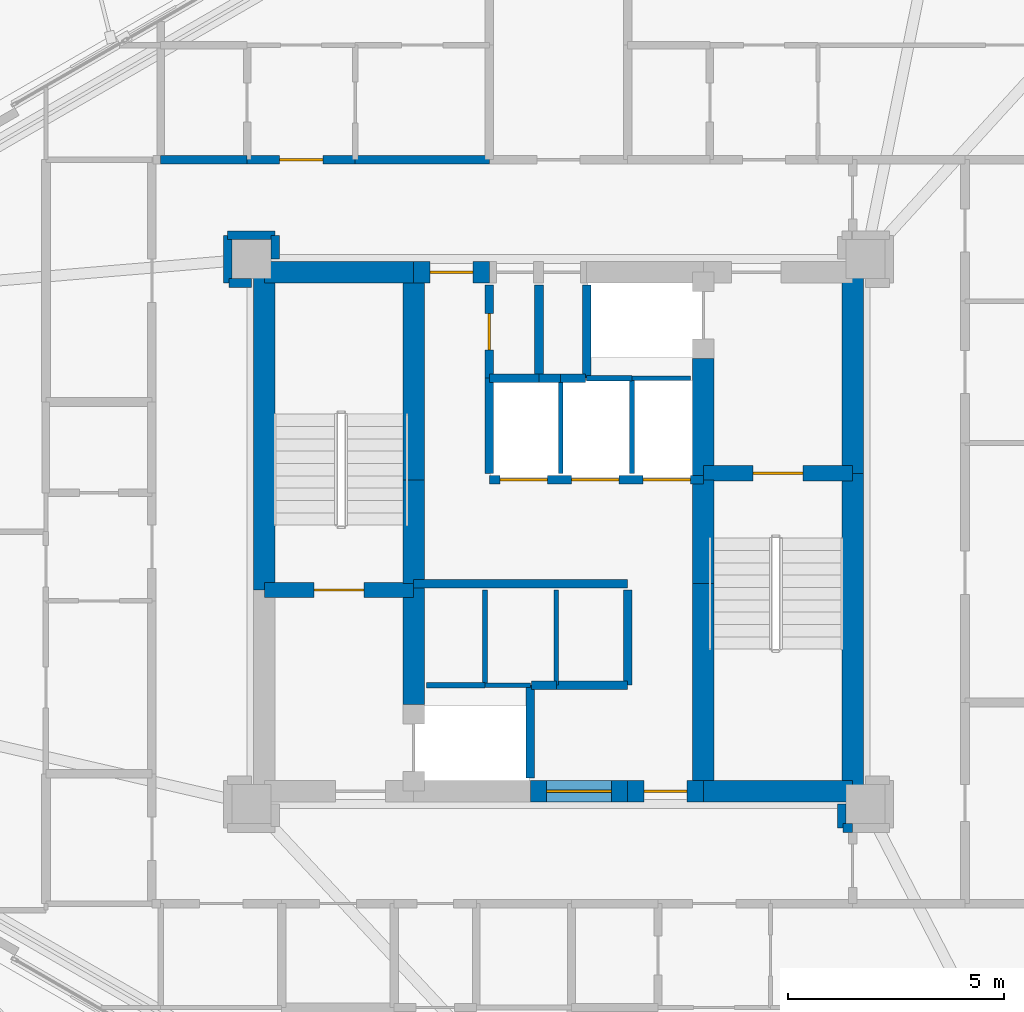
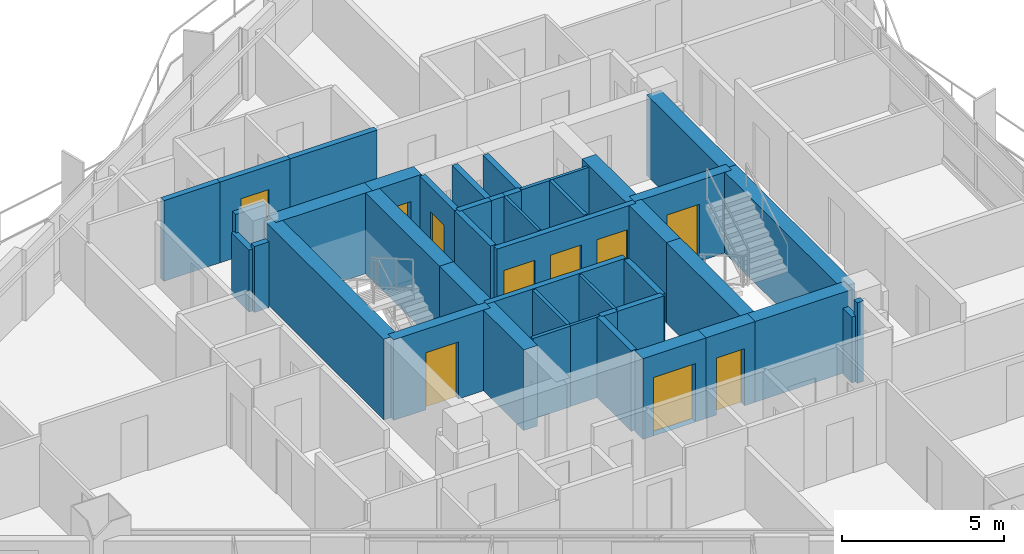
# One storey, part 14 of 19: 46 walls, 10 doors, 10 openings.
"""IFC4 building model written with IfcOpenShell, lengths in metres."""

from ifc_helpers import new_model, si_unit, direction, frame, frame_2d, origin, place, context, subcontext, project, spatial, rectangle, extrude, material, layer, layer_set, type_object, element, fill, save


model = new_model("IFC4")

# Units and contexts
model_context = context("Model", 3, precision=1e-05, world=origin(), true_north=direction((0.0, 1.0)))
body_context = subcontext(model_context, "Body", "Model", "MODEL_VIEW")
ifc_project = project(units=[si_unit("LENGTHUNIT", "METRE"), si_unit("AREAUNIT", "SQUARE_METRE"), si_unit("VOLUMEUNIT", "CUBIC_METRE"), si_unit("PLANEANGLEUNIT", "RADIAN"), si_unit("MASSUNIT", "GRAM", prefix="KILO")], contexts=[model_context])

# Site, building, storey
site_placement = place(None, origin())
site = spatial("IfcSite", under=ifc_project, at=site_placement, CompositionType="ELEMENT")
building_placement = place(site_placement, origin())
building = spatial("IfcBuilding", under=site, at=building_placement, Name="Mersakhor Tower and Convention Hall", CompositionType="ELEMENT")
storey_placement = place(building_placement, frame((0.0, 0.0, 45.60009765625)))
storey = spatial("IfcBuildingStorey", under=building, at=storey_placement, Name="L12", CompositionType="ELEMENT", Elevation=45.60009765625)

# Walls
ifc_material_1 = material(Name="Lightweight gypsum partition", Category="other")
ifc_layer_1 = layer(ifc_material_1, 0.10009765625)
ifc_layer_set_1 = layer_set([ifc_layer_1], Name="Lightweight gypsum partition")
wall_type_1 = type_object("IfcWallType", Name="WL-PRT-100", PredefinedType="PARTITIONING", material=ifc_layer_set_1)
wall_1_placement = place(storey_placement, frame((27.300048828125, 23.199951171875, 0.0), z_axis=(0.0, 0.0, 1.0), x_axis=(1.0, 0.0, 0.0)))
element("IfcWall", 1, at=wall_1_placement, inside=storey, type_object=wall_type_1, Name="L12 Interior Partition Wall P-002", PredefinedType="PARTITIONING", context=body_context, shape_type="SweptSolid", body=[
    extrude(rectangle(XDim=1.050048828125, YDim=0.10009765625, at=frame_2d((0.52490234375, 0.0))), origin(), (0.0, 0.0, 1.0), 3.039794921875),
])
wall_2_placement = place(storey_placement, frame((32.050048828125, 30.300048828125, 0.0), z_axis=(0.0, 0.0, 1.0), x_axis=(-1.0, 0.0, 0.0)))
element("IfcWall", 2, at=wall_2_placement, inside=storey, type_object=wall_type_1, Name="L12 Interior Partition Wall P-004", PredefinedType="PARTITIONING", context=body_context, shape_type="SweptSolid", body=[
    extrude(rectangle(XDim=1.35009765625, YDim=0.10009765625, at=frame_2d((0.675048828125, 0.0))), origin(), (0.0, 0.0, 1.0), 3.039794921875),
])
for number, where, z_axis, x_axis, name in (
    (3, (28.949951171875, 25.39990234375, 0.0), (0.0, 0.0, 1.0), (0.0, -1.0, 0.0), "L12 Interior Partition Wall P-008"),
    (4, (29.050048828125, 30.300048828125, 0.0), (0.0, 0.0, 1.0), (0.0, -1.0, 0.0), "L12 Interior Partition Wall P-014"),
):
    element("IfcWall", number, at=place(storey_placement, frame(where, z_axis=z_axis, x_axis=x_axis)), inside=storey, type_object=wall_type_1, Name=name, PredefinedType="PARTITIONING", context=body_context, shape_type="SweptSolid", body=[
        extrude(rectangle(XDim=2.199951171875, YDim=0.10009765625, at=frame_2d((1.10009765625, 0.0))), origin(), (0.0, 0.0, 1.0), 3.039794921875),
    ])
ifc_material_2 = material(Name="Gypsum board acoustic partition", Category="other")
ifc_layer_2 = layer(ifc_material_2, 0.125)
ifc_layer_set_2 = layer_set([ifc_layer_2], Name="Gypsum board acoustic partition")
wall_type_2 = type_object("IfcWallType", Name="WL-PRT-125", PredefinedType="PARTITIONING", material=ifc_layer_set_2)
wall_3_placement = place(storey_placement, frame((25.949951171875, 23.199951171875, 0.0), z_axis=(0.0, 0.0, 1.0), x_axis=(1.0, 0.0, 0.0)))
element("IfcWall", 5, at=wall_3_placement, inside=storey, type_object=wall_type_2, Name="L12 Interior Partition Wall P-001", PredefinedType="PARTITIONING", context=body_context, shape_type="SweptSolid", body=[
    extrude(rectangle(XDim=1.35009765625, YDim=0.125, at=frame_2d((0.675048828125, 0.0))), origin(), (0.0, 0.0, 1.0), 3.039794921875),
])
wall_4_placement = place(storey_placement, frame((30.699951171875, 30.300048828125, 0.0), z_axis=(0.0, 0.0, 1.0), x_axis=(-1.0, 0.0, 0.0)))
element("IfcWall", 6, at=wall_4_placement, inside=storey, type_object=wall_type_2, Name="L12 Interior Partition Wall P-005", PredefinedType="PARTITIONING", context=body_context, shape_type="SweptSolid", body=[
    extrude(rectangle(XDim=1.050048828125, YDim=0.125, at=frame_2d((0.52490234375, 0.0))), origin(), (0.0, 0.0, 1.0), 3.039794921875),
])
for number, where, z_axis, x_axis, name in (
    (7, (27.300048828125, 25.39990234375, 0.0), (0.0, 0.0, 1.0), (0.0, -1.0, 0.0), "L12 Interior Partition Wall P-007"),
    (8, (30.699951171875, 30.300048828125, 0.0), (0.0, 0.0, 1.0), (0.0, -1.0, 0.0), "L12 Interior Partition Wall P-017"),
):
    element("IfcWall", number, at=place(storey_placement, frame(where, z_axis=z_axis, x_axis=x_axis)), inside=storey, type_object=wall_type_2, Name=name, PredefinedType="PARTITIONING", context=body_context, shape_type="SweptSolid", body=[
        extrude(rectangle(XDim=2.199951171875, YDim=0.125, at=frame_2d((1.10009765625, 0.0))), origin(), (0.0, 0.0, 1.0), 3.039794921875),
    ])
ifc_material_3 = material(Name="Acoustic concrete blockwork and gypsum board", Category="masonry")
ifc_layer_3 = layer(ifc_material_3, 0.199951171875)
ifc_layer_set_3 = layer_set([ifc_layer_3], Name="Acoustic concrete blockwork and gypsum board")
wall_type_3 = type_object("IfcWallType", Name="WL-PRT-200", PredefinedType="PARTITIONING", material=ifc_layer_set_3)
wall_5_placement = place(storey_placement, frame((25.64990234375, 25.550048828125, 0.0), z_axis=(0.0, 0.0, 1.0), x_axis=(1.0, 0.0, 0.0)))
element("IfcWall", 9, at=wall_5_placement, inside=storey, type_object=wall_type_3, Name="L12 High-Rise Lift Bank Front Wall", PredefinedType="PARTITIONING", context=body_context, shape_type="SweptSolid", body=[
    extrude(rectangle(XDim=4.9501953125, YDim=0.199951171875, at=frame_2d((2.47509765625, 0.0))), origin(), (0.0, 0.0, 1.0), 3.039794921875),
])

# Wall, openings, doors
wall_6_placement = place(storey_placement, frame((27.39990234375, 27.949951171875, 0.0), z_axis=(0.0, 0.0, 1.0), x_axis=(1.0, 0.0, 0.0)))
wall_6 = element("IfcWall", 10, at=wall_6_placement, inside=storey, type_object=wall_type_3, Name="L12 Low-Rise Lift Bank Front Wall", PredefinedType="PARTITIONING", context=body_context, shape_type="SweptSolid", body=[
    extrude(rectangle(XDim=4.9501953125, YDim=0.199951171875, at=frame_2d((2.47509765625, 0.0))), origin(), (0.0, 0.0, 1.0), 3.039794921875),
])
opening_1_placement = place(wall_6_placement, frame((0.25, 0.0, 0.0)))
opening_1 = element("IfcOpeningElement", 11, at=opening_1_placement, cuts=wall_6, Name="Opening LD-P1", PredefinedType="OPENING", context=body_context, shape_type="SweptSolid", body=[
    extrude(rectangle(XDim=1.10009765625, YDim=2.14990234375, at=frame_2d((0.550048828125, 1.074951171875))), frame((0.0, 0.10986328125, 0.0), z_axis=(0.0, -1.0, 0.0), x_axis=(1.0, 0.0, 0.0)), (0.0, 0.0, 1.0), 0.219970703125),
])
opening_2_placement = place(wall_6_placement, frame((1.89990234375, 0.0, 0.0)))
opening_2 = element("IfcOpeningElement", 12, at=opening_2_placement, cuts=wall_6, Name="Opening LD-P2", PredefinedType="OPENING", context=body_context, shape_type="SweptSolid", body=[
    extrude(rectangle(XDim=1.10009765625, YDim=2.14990234375, at=frame_2d((0.550048828125, 1.074951171875))), frame((0.0, 0.10986328125, 0.0), z_axis=(0.0, -1.0, 0.0), x_axis=(1.0, 0.0, 0.0)), (0.0, 0.0, 1.0), 0.219970703125),
])
opening_3_placement = place(wall_6_placement, frame((3.550048828125, 0.0, 0.0)))
opening_3 = element("IfcOpeningElement", 13, at=opening_3_placement, cuts=wall_6, Name="Opening LD-P3", PredefinedType="OPENING", context=body_context, shape_type="SweptSolid", body=[
    extrude(rectangle(XDim=1.10009765625, YDim=2.14990234375, at=frame_2d((0.550048828125, 1.074951171875))), frame((0.0, 0.10986328125, 0.0), z_axis=(0.0, -1.0, 0.0), x_axis=(1.0, 0.0, 0.0)), (0.0, 0.0, 1.0), 0.219970703125),
])
ifc_material_4 = material(Name="Fire-rated brushed stainless steel sliding landing door", Category="steel")
door_type_1 = type_object("IfcDoorType", Name="DR-LIFT-SLD-110x215", OperationType="NOTDEFINED", PredefinedType="DOOR", material=ifc_material_4)
door_1_placement = place(opening_1_placement, origin())
door_1 = element("IfcDoor", 14, at=door_1_placement, inside=storey, type_object=door_type_1, Name="L12 Lift Landing Door LD-P1", OperationType="SLIDING_TO_LEFT", OverallHeight=2.14990234375, OverallWidth=1.10009765625, PredefinedType="DOOR", context=body_context, shape_type="SweptSolid", body=[
    extrude(rectangle(XDim=1.10009765625, YDim=2.14990234375, at=frame_2d((0.550048828125, 1.074951171875))), frame((0.0, 0.02490234375, 0.0), z_axis=(0.0, -1.0, 0.0), x_axis=(1.0, 0.0, 0.0)), (0.0, 0.0, 1.0), 0.050048828125),
])
fill(opening_1, door_1)
door_2_placement = place(opening_2_placement, origin())
door_2 = element("IfcDoor", 15, at=door_2_placement, inside=storey, type_object=door_type_1, Name="L12 Lift Landing Door LD-P2", OperationType="SLIDING_TO_LEFT", OverallHeight=2.14990234375, OverallWidth=1.10009765625, PredefinedType="DOOR", context=body_context, shape_type="SweptSolid", body=[
    extrude(rectangle(XDim=1.10009765625, YDim=2.14990234375, at=frame_2d((0.550048828125, 1.074951171875))), frame((0.0, 0.02490234375, 0.0), z_axis=(0.0, -1.0, 0.0), x_axis=(1.0, 0.0, 0.0)), (0.0, 0.0, 1.0), 0.050048828125),
])
fill(opening_2, door_2)
door_3_placement = place(opening_3_placement, origin())
door_3 = element("IfcDoor", 16, at=door_3_placement, inside=storey, type_object=door_type_1, Name="L12 Lift Landing Door LD-P3", OperationType="SLIDING_TO_LEFT", OverallHeight=2.14990234375, OverallWidth=1.10009765625, PredefinedType="DOOR", context=body_context, shape_type="SweptSolid", body=[
    extrude(rectangle(XDim=1.10009765625, YDim=2.14990234375, at=frame_2d((0.550048828125, 1.074951171875))), frame((0.0, 0.02490234375, 0.0), z_axis=(0.0, -1.0, 0.0), x_axis=(1.0, 0.0, 0.0)), (0.0, 0.0, 1.0), 0.050048828125),
])
fill(opening_3, door_3)

# Walls
for number, where, z_axis, x_axis, name in (
    (17, (28.35009765625, 23.199951171875, 0.0), (0.0, 0.0, 1.0), (0.0, -1.0, 0.0), "L12 Interior Partition Wall P-003"),
    (18, (29.64990234375, 30.300048828125, 0.0), (0.0, 0.0, 1.0), (0.0, 1.0, 0.0), "L12 Interior Partition Wall P-006"),
):
    element("IfcWall", number, at=place(storey_placement, frame(where, z_axis=z_axis, x_axis=x_axis)), inside=storey, type_object=wall_type_3, Name=name, PredefinedType="PARTITIONING", context=body_context, shape_type="SweptSolid", body=[
        extrude(rectangle(XDim=2.14990234375, YDim=0.199951171875, at=frame_2d((1.074951171875, 0.0))), origin(), (0.0, 0.0, 1.0), 3.039794921875),
    ])
wall_7_placement = place(storey_placement, frame((28.949951171875, 23.199951171875, 0.0), z_axis=(0.0, 0.0, 1.0), x_axis=(-1.0, 0.0, 0.0)))
element("IfcWall", 19, at=wall_7_placement, inside=storey, type_object=wall_type_3, Name="L12 Interior Partition Wall P-009", PredefinedType="PARTITIONING", context=body_context, shape_type="SweptSolid", body=[
    extrude(rectangle(XDim=0.570068359375, YDim=0.199951171875, at=frame_2d((0.28515625, 0.0))), origin(), (0.0, 0.0, 1.0), 3.039794921875),
])
wall_8_placement = place(storey_placement, frame((30.60009765625, 25.39990234375, 0.0), z_axis=(0.0, 0.0, 1.0), x_axis=(0.0, -1.0, 0.0)))
element("IfcWall", 20, at=wall_8_placement, inside=storey, type_object=wall_type_3, Name="L12 Interior Partition Wall P-010", PredefinedType="PARTITIONING", context=body_context, shape_type="SweptSolid", body=[
    extrude(rectangle(XDim=2.199951171875, YDim=0.199951171875, at=frame_2d((1.10009765625, 0.0))), origin(), (0.0, 0.0, 1.0), 3.039794921875),
])
wall_9_placement = place(storey_placement, frame((30.60009765625, 23.199951171875, 0.0), z_axis=(0.0, 0.0, 1.0), x_axis=(-1.0, 0.0, 0.0)))
element("IfcWall", 21, at=wall_9_placement, inside=storey, type_object=wall_type_3, Name="L12 Interior Partition Wall P-011", PredefinedType="PARTITIONING", context=body_context, shape_type="SweptSolid", body=[
    extrude(rectangle(XDim=1.650146484375, YDim=0.199951171875, at=frame_2d((0.8251953125, 0.0))), origin(), (0.0, 0.0, 1.0), 3.039794921875),
])
wall_10_placement = place(storey_placement, frame((27.39990234375, 30.300048828125, 0.0), z_axis=(0.0, 0.0, 1.0), x_axis=(1.0, 0.0, 0.0)))
element("IfcWall", 22, at=wall_10_placement, inside=storey, type_object=wall_type_3, Name="L12 Interior Partition Wall P-012", PredefinedType="PARTITIONING", context=body_context, shape_type="SweptSolid", body=[
    extrude(rectangle(XDim=1.150146484375, YDim=0.199951171875, at=frame_2d((0.5751953125, 0.0))), origin(), (0.0, 0.0, 1.0), 3.039794921875),
])
wall_11_placement = place(storey_placement, frame((28.550048828125, 30.300048828125, 0.0), z_axis=(0.0, 0.0, 1.0), x_axis=(1.0, 0.0, 0.0)))
element("IfcWall", 23, at=wall_11_placement, inside=storey, type_object=wall_type_3, Name="L12 Interior Partition Wall P-013", PredefinedType="PARTITIONING", context=body_context, shape_type="SweptSolid", body=[
    extrude(rectangle(XDim=0.5, YDim=0.199951171875, at=frame_2d((0.25, 0.0))), origin(), (0.0, 0.0, 1.0), 3.039794921875),
])
wall_12_placement = place(storey_placement, frame((27.39990234375, 28.10009765625, 0.0), z_axis=(0.0, 0.0, 1.0), x_axis=(0.0, 1.0, 0.0)))
element("IfcWall", 24, at=wall_12_placement, inside=storey, type_object=wall_type_3, Name="L12 Interior Partition Wall P-015", PredefinedType="PARTITIONING", context=body_context, shape_type="SweptSolid", body=[
    extrude(rectangle(XDim=2.199951171875, YDim=0.199951171875, at=frame_2d((1.10009765625, 0.0))), origin(), (0.0, 0.0, 1.0), 3.039794921875),
])
wall_13_placement = place(storey_placement, frame((29.050048828125, 30.300048828125, 0.0), z_axis=(0.0, 0.0, 1.0), x_axis=(1.0, 0.0, 0.0)))
element("IfcWall", 25, at=wall_13_placement, inside=storey, type_object=wall_type_3, Name="L12 Interior Partition Wall P-016", PredefinedType="PARTITIONING", context=body_context, shape_type="SweptSolid", body=[
    extrude(rectangle(XDim=0.570068359375, YDim=0.199951171875, at=frame_2d((0.28515625, 0.0))), origin(), (0.0, 0.0, 1.0), 3.039794921875),
])

# Wall, opening, door
wall_14_placement = place(storey_placement, frame((27.39990234375, 32.449951171875, 0.0), z_axis=(0.0, 0.0, 1.0), x_axis=(0.0, -1.0, 0.0)))
wall_14 = element("IfcWall", 26, at=wall_14_placement, inside=storey, type_object=wall_type_3, Name="L12 Interior Partition Wall P-018", PredefinedType="PARTITIONING", context=body_context, shape_type="SweptSolid", body=[
    extrude(rectangle(XDim=2.14990234375, YDim=0.199951171875, at=frame_2d((1.074951171875, 0.0))), origin(), (0.0, 0.0, 1.0), 3.039794921875),
])
opening_4_placement = place(wall_14_placement, frame((0.64990234375, 0.0, 0.0)))
opening_4 = element("IfcOpeningElement", 27, at=opening_4_placement, cuts=wall_14, Name="Opening SVD-01", PredefinedType="OPENING", context=body_context, shape_type="SweptSolid", body=[
    extrude(rectangle(XDim=0.85009765625, YDim=2.10009765625, at=frame_2d((0.425048828125, 1.050048828125))), frame((0.0, 0.10986328125, 0.0), z_axis=(0.0, -1.0, 0.0), x_axis=(1.0, 0.0, 0.0)), (0.0, 0.0, 1.0), 0.219970703125),
])
ifc_material_5 = material(Name="Fire-rated hardwood leaf and painted steel frame", Category="steel")
door_type_2 = type_object("IfcDoorType", Name="DR-INT-SVC-085x210", OperationType="NOTDEFINED", PredefinedType="DOOR", material=ifc_material_5)
door_4_placement = place(opening_4_placement, origin())
door_4 = element("IfcDoor", 28, at=door_4_placement, inside=storey, type_object=door_type_2, Name="L12 Central Passenger Lift Lobby to Telecoms Distribution Room Door", OperationType="SINGLE_SWING_LEFT", OverallHeight=2.10009765625, OverallWidth=0.85009765625, PredefinedType="DOOR", context=body_context, shape_type="SweptSolid", body=[
    extrude(rectangle(XDim=0.85009765625, YDim=2.10009765625, at=frame_2d((0.425048828125, 1.050048828125))), frame((0.0, 0.02490234375, 0.0), z_axis=(0.0, -1.0, 0.0), x_axis=(1.0, 0.0, 0.0)), (0.0, 0.0, 1.0), 0.050048828125),
])
fill(opening_4, door_4)

# Walls
wall_15_placement = place(storey_placement, frame((35.550048828125, 20.449951171875, 0.0), z_axis=(0.0, 0.0, 1.0), x_axis=(0.0, -1.0, 0.0)))
element("IfcWall", 29, at=wall_15_placement, inside=storey, type_object=wall_type_3, Name="L12 Interior Partition Wall P-021", PredefinedType="PARTITIONING", context=body_context, shape_type="SweptSolid", body=[
    extrude(rectangle(XDim=0.550048828125, YDim=0.199951171875, at=frame_2d((0.27490234375, 0.0))), origin(), (0.0, 0.0, 1.0), 2.48828125),
])
wall_16_placement = place(storey_placement, frame((35.580078125, 19.89990234375, 0.0), z_axis=(0.0, 0.0, 1.0), x_axis=(1.0, 0.0, 0.0)))
element("IfcWall", 30, at=wall_16_placement, inside=storey, type_object=wall_type_3, Name="L12 Interior Partition Wall P-022", PredefinedType="PARTITIONING", context=body_context, shape_type="SweptSolid", body=[
    extrude(rectangle(XDim=0.219970703125, YDim=0.199951171875, at=frame_2d((0.10986328125, 0.0))), origin(), (0.0, 0.0, 1.0), 3.039794921875),
])
wall_17_placement = place(storey_placement, frame((19.800048828125, 35.35009765625, 0.0), z_axis=(0.0, 0.0, 1.0), x_axis=(1.0, 0.0, 0.0)))
element("IfcWall", 31, at=wall_17_placement, inside=storey, type_object=wall_type_3, Name="L12 Interior Partition Wall P-038", PredefinedType="PARTITIONING", context=body_context, shape_type="SweptSolid", body=[
    extrude(rectangle(XDim=2.0, YDim=0.199951171875, at=frame_2d((1.0, 0.0))), origin(), (0.0, 0.0, 1.0), 3.039794921875),
])

# Wall, opening, door
wall_18_placement = place(storey_placement, frame((21.800048828125, 35.35009765625, 0.0), z_axis=(0.0, 0.0, 1.0), x_axis=(1.0, 0.0, 0.0)))
wall_18 = element("IfcWall", 32, at=wall_18_placement, inside=storey, type_object=wall_type_3, Name="L12 Interior Partition Wall P-039", PredefinedType="PARTITIONING", context=body_context, shape_type="SweptSolid", body=[
    extrude(rectangle(XDim=2.5, YDim=0.199951171875, at=frame_2d((1.25, 0.0))), origin(), (0.0, 0.0, 1.0), 3.039794921875),
])
opening_5_placement = place(wall_18_placement, frame((0.75, 0.0, 0.0)))
opening_5 = element("IfcOpeningElement", 33, at=opening_5_placement, cuts=wall_18, Name="Opening FD-01", PredefinedType="OPENING", context=body_context, shape_type="SweptSolid", body=[
    extrude(rectangle(XDim=1.0, YDim=2.14990234375, at=frame_2d((0.5, 1.074951171875))), frame((0.0, 0.10986328125, 0.0), z_axis=(0.0, -1.0, 0.0), x_axis=(1.0, 0.0, 0.0)), (0.0, 0.0, 1.0), 0.219970703125),
])
ifc_material_6 = material(Name="Fire-rated hardwood leaf and painted steel frame", Category="steel")
door_type_3 = type_object("IfcDoorType", Name="DR-INT-FLT-100x215", OperationType="NOTDEFINED", PredefinedType="DOOR", material=ifc_material_6)
door_5_placement = place(opening_5_placement, origin())
door_5 = element("IfcDoor", 34, at=door_5_placement, inside=storey, type_object=door_type_3, Name="L12 Apartment Entrance Door (Residential Ring Corridor to L12 Flat N1 Apartment Hall)", OperationType="SINGLE_SWING_RIGHT", OverallHeight=2.14990234375, OverallWidth=1.0, PredefinedType="DOOR", context=body_context, shape_type="SweptSolid", body=[
    extrude(rectangle(XDim=1.0, YDim=2.14990234375, at=frame_2d((0.5, 1.074951171875))), frame((0.0, 0.02490234375, 0.0), z_axis=(0.0, -1.0, 0.0), x_axis=(1.0, 0.0, 0.0)), (0.0, 0.0, 1.0), 0.050048828125),
])
fill(opening_5, door_5)

# Walls
wall_19_placement = place(storey_placement, frame((24.300048828125, 35.35009765625, 0.0), z_axis=(0.0, 0.0, 1.0), x_axis=(1.0, 0.0, 0.0)))
element("IfcWall", 35, at=wall_19_placement, inside=storey, type_object=wall_type_3, Name="L12 Interior Partition Wall P-040", PredefinedType="PARTITIONING", context=body_context, shape_type="SweptSolid", body=[
    extrude(rectangle(XDim=3.099853515625, YDim=0.199951171875, at=frame_2d((1.5498046875, 0.0))), origin(), (0.0, 0.0, 1.0), 3.039794921875),
])
wall_20_placement = place(storey_placement, frame((22.449951171875, 33.050048828125, 0.0), z_axis=(0.0, 0.0, 1.0), x_axis=(0.0, 1.0, 0.0)))
element("IfcWall", 36, at=wall_20_placement, inside=storey, type_object=wall_type_3, Name="L12 Interior Partition Wall P-048", PredefinedType="PARTITIONING", context=body_context, shape_type="SweptSolid", body=[
    extrude(rectangle(XDim=0.550048828125, YDim=0.199951171875, at=frame_2d((0.27490234375, 0.0))), origin(), (0.0, 0.0, 1.0), 2.48828125),
])
wall_21_placement = place(storey_placement, frame((22.449951171875, 33.60009765625, 0.0), z_axis=(0.0, 0.0, 1.0), x_axis=(-1.0, 0.0, 0.0)))
element("IfcWall", 37, at=wall_21_placement, inside=storey, type_object=wall_type_3, Name="L12 Interior Partition Wall P-049", PredefinedType="PARTITIONING", context=body_context, shape_type="SweptSolid", body=[
    extrude(rectangle(XDim=1.099853515625, YDim=0.199951171875, at=frame_2d((0.5498046875, 0.0))), origin(), (0.0, 0.0, 1.0), 3.039794921875),
])
wall_22_placement = place(storey_placement, frame((21.35009765625, 33.60009765625, 0.0), z_axis=(0.0, 0.0, 1.0), x_axis=(0.0, -1.0, 0.0)))
element("IfcWall", 38, at=wall_22_placement, inside=storey, type_object=wall_type_3, Name="L12 Interior Partition Wall P-050", PredefinedType="PARTITIONING", context=body_context, shape_type="SweptSolid", body=[
    extrude(rectangle(XDim=1.10009765625, YDim=0.199951171875, at=frame_2d((0.550048828125, 0.0))), origin(), (0.0, 0.0, 1.0), 2.33740234375),
])
wall_23_placement = place(storey_placement, frame((21.3798828125, 32.5, 0.0), z_axis=(0.0, 0.0, 1.0), x_axis=(1.0, 0.0, 0.0)))
element("IfcWall", 39, at=wall_23_placement, inside=storey, type_object=wall_type_3, Name="L12 Interior Partition Wall P-051", PredefinedType="PARTITIONING", context=body_context, shape_type="SweptSolid", body=[
    extrude(rectangle(XDim=0.52001953125, YDim=0.199951171875, at=frame_2d((0.260009765625, 0.0))), origin(), (0.0, 0.0, 1.0), 2.48828125),
])
wall_24_placement = place(storey_placement, frame((28.550048828125, 32.449951171875, 0.0), z_axis=(0.0, 0.0, 1.0), x_axis=(0.0, -1.0, 0.0)))
element("IfcWall", 40, at=wall_24_placement, inside=storey, type_object=wall_type_3, Name="L12 Interior Partition Wall P-099", PredefinedType="PARTITIONING", context=body_context, shape_type="SweptSolid", body=[
    extrude(rectangle(XDim=2.14990234375, YDim=0.199951171875, at=frame_2d((1.074951171875, 0.0))), origin(), (0.0, 0.0, 1.0), 3.039794921875),
])

# Wall, opening, door
ifc_material_7 = material(Name="Concrete C50/60", Category="concrete")
ifc_layer_4 = layer(ifc_material_7, 0.35009765625)
ifc_layer_set_4 = layer_set([ifc_layer_4], Name="Concrete C50/60")
wall_type_4 = type_object("IfcWallType", Name="WL-SHR-350", PredefinedType="SHEAR", material=ifc_layer_set_4)
wall_25_placement = place(storey_placement, frame((22.199951171875, 25.39990234375, 0.0), z_axis=(0.0, 0.0, 1.0), x_axis=(1.0, 0.0, 0.0)))
wall_25 = element("IfcWall", 41, at=wall_25_placement, inside=storey, type_object=wall_type_4, Name="L12 Core Wall CS-ST1-S", PredefinedType="SHEAR", context=body_context, shape_type="SweptSolid", body=[
    extrude(rectangle(XDim=3.449951171875, YDim=0.35009765625, at=frame_2d((1.72509765625, 0.0))), origin(), (0.0, 0.0, 1.0), 3.039794921875),
])
opening_6_placement = place(wall_25_placement, frame((1.14990234375, 0.0, 0.0)))
opening_6 = element("IfcOpeningElement", 42, at=opening_6_placement, cuts=wall_25, Name="Opening SD-01", PredefinedType="OPENING", context=body_context, shape_type="SweptSolid", body=[
    extrude(rectangle(XDim=1.14990234375, YDim=2.14990234375, at=frame_2d((0.574951171875, 1.074951171875))), frame((0.0, 0.18505859375, 0.0), z_axis=(0.0, -1.0, 0.0), x_axis=(1.0, 0.0, 0.0)), (0.0, 0.0, 1.0), 0.3701171875),
])
ifc_material_8 = material(Name="Fire-rated hardwood leaf and painted steel frame", Category="steel")
door_type_4 = type_object("IfcDoorType", Name="DR-INT-STAIR-115x215", OperationType="NOTDEFINED", PredefinedType="DOOR", material=ifc_material_8)
door_6_placement = place(opening_6_placement, origin())
door_6 = element("IfcDoor", 43, at=door_6_placement, inside=storey, type_object=door_type_4, Name="L12 Exit Stair ST-1 Enclosure Door", OperationType="SINGLE_SWING_LEFT", OverallHeight=2.14990234375, OverallWidth=1.14990234375, PredefinedType="DOOR", context=body_context, shape_type="SweptSolid", body=[
    extrude(rectangle(XDim=1.14990234375, YDim=2.14990234375, at=frame_2d((0.574951171875, 1.074951171875))), frame((0.0, 0.02490234375, 0.0), z_axis=(0.0, -1.0, 0.0), x_axis=(1.0, 0.0, 0.0)), (0.0, 0.0, 1.0), 0.050048828125),
])
fill(opening_6, door_6)

wall_26_placement = place(storey_placement, frame((32.35009765625, 28.10009765625, 0.0), z_axis=(0.0, 0.0, 1.0), x_axis=(1.0, 0.0, 0.0)))
wall_26 = element("IfcWall", 44, at=wall_26_placement, inside=storey, type_object=wall_type_4, Name="L12 Core Wall CS-ST2-N", PredefinedType="SHEAR", context=body_context, shape_type="SweptSolid", body=[
    extrude(rectangle(XDim=3.449951171875, YDim=0.35009765625, at=frame_2d((1.72509765625, 0.0))), origin(), (0.0, 0.0, 1.0), 3.039794921875),
])
opening_7_placement = place(wall_26_placement, frame((1.14990234375, 0.0, 0.0)))
opening_7 = element("IfcOpeningElement", 45, at=opening_7_placement, cuts=wall_26, Name="Opening SD-01", PredefinedType="OPENING", context=body_context, shape_type="SweptSolid", body=[
    extrude(rectangle(XDim=1.14990234375, YDim=2.14990234375, at=frame_2d((0.574951171875, 1.074951171875))), frame((0.0, 0.18505859375, 0.0), z_axis=(0.0, -1.0, 0.0), x_axis=(1.0, 0.0, 0.0)), (0.0, 0.0, 1.0), 0.3701171875),
])
door_7_placement = place(opening_7_placement, origin())
door_7 = element("IfcDoor", 46, at=door_7_placement, inside=storey, type_object=door_type_4, Name="L12 Exit Stair ST-2 Enclosure Door", OperationType="SINGLE_SWING_RIGHT", OverallHeight=2.14990234375, OverallWidth=1.14990234375, PredefinedType="DOOR", context=body_context, shape_type="SweptSolid", body=[
    extrude(rectangle(XDim=1.14990234375, YDim=2.14990234375, at=frame_2d((0.574951171875, 1.074951171875))), frame((0.0, 0.02490234375, 0.0), z_axis=(0.0, -1.0, 0.0), x_axis=(1.0, 0.0, 0.0)), (0.0, 0.0, 1.0), 0.050048828125),
])
fill(opening_7, door_7)

# Walls
ifc_material_9 = material(Name="Concrete C70/85", Category="concrete")
ifc_layer_5 = layer(ifc_material_9, 0.5)
ifc_layer_set_5 = layer_set([ifc_layer_5], Name="Concrete C70/85")
wall_type_5 = type_object("IfcWallType", Name="WL-SHR-500", PredefinedType="SHEAR", material=ifc_layer_set_5)
wall_27_placement = place(storey_placement, frame((22.199951171875, 25.39990234375, 0.0), z_axis=(0.0, 0.0, 1.0), x_axis=(0.0, 1.0, 0.0)))
element("IfcWall", 47, at=wall_27_placement, inside=storey, type_object=wall_type_5, Name="L12 Core Wall CW-W2", PredefinedType="SHEAR", context=body_context, shape_type="SweptSolid", body=[
    extrude(rectangle(XDim=7.35009765625, YDim=0.5, at=frame_2d((3.675048828125, 0.0))), origin(), (0.0, 0.0, 1.0), 3.039794921875),
])
wall_28_placement = place(storey_placement, frame((22.199951171875, 32.75, 0.0), z_axis=(0.0, 0.0, 1.0), x_axis=(1.0, 0.0, 0.0)))
element("IfcWall", 48, at=wall_28_placement, inside=storey, type_object=wall_type_5, Name="L12 Core Wall CW-N1", PredefinedType="SHEAR", context=body_context, shape_type="SweptSolid", body=[
    extrude(rectangle(XDim=3.449951171875, YDim=0.5, at=frame_2d((1.72509765625, 0.0))), origin(), (0.0, 0.0, 1.0), 3.039794921875),
])

# Wall, opening, door
wall_29_placement = place(storey_placement, frame((25.64990234375, 32.75, 0.0), z_axis=(0.0, 0.0, 1.0), x_axis=(1.0, 0.0, 0.0)))
wall_29 = element("IfcWall", 49, at=wall_29_placement, inside=storey, type_object=wall_type_5, Name="L12 Core Wall CW-N2A", PredefinedType="SHEAR", context=body_context, shape_type="SweptSolid", body=[
    extrude(rectangle(XDim=1.75, YDim=0.5, at=frame_2d((0.875, 0.0))), origin(), (0.0, 0.0, 1.0), 3.039794921875),
])
opening_8_placement = place(wall_29_placement, frame((0.375, 0.0, 0.0)))
opening_8 = element("IfcOpeningElement", 50, at=opening_8_placement, cuts=wall_29, Name="Opening CFD-01", PredefinedType="OPENING", context=body_context, shape_type="SweptSolid", body=[
    extrude(rectangle(XDim=1.0, YDim=2.14990234375, at=frame_2d((0.5, 1.074951171875))), frame((0.0, 0.260009765625, 0.0), z_axis=(0.0, -1.0, 0.0), x_axis=(1.0, 0.0, 0.0)), (0.0, 0.0, 1.0), 0.52001953125),
])
ifc_material_10 = material(Name="Fire-rated hardwood leaf and painted steel frame", Category="steel")
door_type_5 = type_object("IfcDoorType", Name="DR-CORE-FD-100x215", OperationType="NOTDEFINED", PredefinedType="DOOR", material=ifc_material_10)
door_8_placement = place(opening_8_placement, origin())
door_8 = element("IfcDoor", 51, at=door_8_placement, inside=storey, type_object=door_type_5, Name="L12 Lift Lobby North Corridor Door", OperationType="SINGLE_SWING_LEFT", OverallHeight=2.14990234375, OverallWidth=1.0, PredefinedType="DOOR", context=body_context, shape_type="SweptSolid", body=[
    extrude(rectangle(XDim=1.0, YDim=2.14990234375, at=frame_2d((0.5, 1.074951171875))), frame((0.0, 0.02490234375, 0.0), z_axis=(0.0, -1.0, 0.0), x_axis=(1.0, 0.0, 0.0)), (0.0, 0.0, 1.0), 0.050048828125),
])
fill(opening_8, door_8)

# Walls
wall_30_placement = place(storey_placement, frame((35.800048828125, 32.75, 0.0), z_axis=(0.0, 0.0, 1.0), x_axis=(0.0, -1.0, 0.0)))
element("IfcWall", 52, at=wall_30_placement, inside=storey, type_object=wall_type_5, Name="L12 Core Wall CW-E1", PredefinedType="SHEAR", context=body_context, shape_type="SweptSolid", body=[
    extrude(rectangle(XDim=4.64990234375, YDim=0.5, at=frame_2d((2.324951171875, 0.0))), origin(), (0.0, 0.0, 1.0), 3.039794921875),
])
wall_31_placement = place(storey_placement, frame((35.800048828125, 28.10009765625, 0.0), z_axis=(0.0, 0.0, 1.0), x_axis=(0.0, -1.0, 0.0)))
element("IfcWall", 53, at=wall_31_placement, inside=storey, type_object=wall_type_5, Name="L12 Core Wall CW-E2", PredefinedType="SHEAR", context=body_context, shape_type="SweptSolid", body=[
    extrude(rectangle(XDim=7.35009765625, YDim=0.5, at=frame_2d((3.675048828125, 0.0))), origin(), (0.0, 0.0, 1.0), 3.039794921875),
])
wall_32_placement = place(storey_placement, frame((35.800048828125, 20.75, 0.0), z_axis=(0.0, 0.0, 1.0), x_axis=(-1.0, 0.0, 0.0)))
element("IfcWall", 54, at=wall_32_placement, inside=storey, type_object=wall_type_5, Name="L12 Core Wall CW-S1", PredefinedType="SHEAR", context=body_context, shape_type="SweptSolid", body=[
    extrude(rectangle(XDim=3.449951171875, YDim=0.5, at=frame_2d((1.72509765625, 0.0))), origin(), (0.0, 0.0, 1.0), 3.039794921875),
])

# Wall, opening, door
wall_33_placement = place(storey_placement, frame((32.35009765625, 20.75, 0.0), z_axis=(0.0, 0.0, 1.0), x_axis=(-1.0, 0.0, 0.0)))
wall_33 = element("IfcWall", 55, at=wall_33_placement, inside=storey, type_object=wall_type_5, Name="L12 Core Wall CW-S2A", PredefinedType="SHEAR", context=body_context, shape_type="SweptSolid", body=[
    extrude(rectangle(XDim=1.75, YDim=0.5, at=frame_2d((0.875, 0.0))), origin(), (0.0, 0.0, 1.0), 3.039794921875),
])
opening_9_placement = place(wall_33_placement, frame((0.375, 0.0, 0.0)))
opening_9 = element("IfcOpeningElement", 56, at=opening_9_placement, cuts=wall_33, Name="Opening CFD-01", PredefinedType="OPENING", context=body_context, shape_type="SweptSolid", body=[
    extrude(rectangle(XDim=1.0, YDim=2.14990234375, at=frame_2d((0.5, 1.074951171875))), frame((0.0, 0.260009765625, 0.0), z_axis=(0.0, -1.0, 0.0), x_axis=(1.0, 0.0, 0.0)), (0.0, 0.0, 1.0), 0.52001953125),
])
door_9_placement = place(opening_9_placement, origin())
door_9 = element("IfcDoor", 57, at=door_9_placement, inside=storey, type_object=door_type_5, Name="L12 Lift Lobby South Corridor Door", OperationType="SINGLE_SWING_RIGHT", OverallHeight=2.14990234375, OverallWidth=1.0, PredefinedType="DOOR", context=body_context, shape_type="SweptSolid", body=[
    extrude(rectangle(XDim=1.0, YDim=2.14990234375, at=frame_2d((0.5, 1.074951171875))), frame((0.0, 0.02490234375, 0.0), z_axis=(0.0, -1.0, 0.0), x_axis=(1.0, 0.0, 0.0)), (0.0, 0.0, 1.0), 0.050048828125),
])
fill(opening_9, door_9)

wall_34_placement = place(storey_placement, frame((30.60009765625, 20.75, 0.0), z_axis=(0.0, 0.0, 1.0), x_axis=(-1.0, 0.0, 0.0)))
wall_34 = element("IfcWall", 58, at=wall_34_placement, inside=storey, type_object=wall_type_5, Name="L12 Core Wall CW-S2B", PredefinedType="SHEAR", context=body_context, shape_type="SweptSolid", body=[
    extrude(rectangle(XDim=2.25, YDim=0.5, at=frame_2d((1.125, 0.0))), origin(), (0.0, 0.0, 1.0), 3.039794921875),
])
opening_10_placement = place(wall_34_placement, frame((0.375, 0.0, 0.0)))
opening_10 = element("IfcOpeningElement", 59, at=opening_10_placement, cuts=wall_34, Name="Opening LD-LOB", PredefinedType="OPENING", context=body_context, shape_type="SweptSolid", body=[
    extrude(rectangle(XDim=1.5, YDim=2.199951171875, at=frame_2d((0.75, 1.10009765625))), frame((0.0, 0.260009765625, 0.0), z_axis=(0.0, -1.0, 0.0), x_axis=(1.0, 0.0, 0.0)), (0.0, 0.0, 1.0), 0.52001953125),
])
ifc_material_11 = material(Name="Fire-rated hardwood leaf and painted steel frame", Category="steel")
door_type_6 = type_object("IfcDoorType", Name="DR-INT-LOB-150x220", OperationType="NOTDEFINED", PredefinedType="DOOR", material=ifc_material_11)
door_10_placement = place(opening_10_placement, origin())
door_10 = element("IfcDoor", 60, at=door_10_placement, inside=storey, type_object=door_type_6, Name="L12 Central Passenger Lift Lobby to Residential Ring Corridor Door", OperationType="DOUBLE_DOOR_SINGLE_SWING", OverallHeight=2.199951171875, OverallWidth=1.5, PredefinedType="DOOR", context=body_context, shape_type="SweptSolid", body=[
    extrude(rectangle(XDim=1.5, YDim=2.199951171875, at=frame_2d((0.75, 1.10009765625))), frame((0.0, 0.02490234375, 0.0), z_axis=(0.0, -1.0, 0.0), x_axis=(1.0, 0.0, 0.0)), (0.0, 0.0, 1.0), 0.050048828125),
])
fill(opening_10, door_10)

# Walls
wall_35_placement = place(storey_placement, frame((25.64990234375, 22.75, 0.0), z_axis=(0.0, 0.0, 1.0), x_axis=(0.0, 1.0, 0.0)))
element("IfcWall", 61, at=wall_35_placement, inside=storey, type_object=wall_type_5, Name="L12 Core Wall CS-W-MID", PredefinedType="SHEAR", context=body_context, shape_type="SweptSolid", body=[
    extrude(rectangle(XDim=2.800048828125, YDim=0.5, at=frame_2d((1.39990234375, 0.0))), origin(), (0.0, 0.0, 1.0), 3.039794921875),
])
wall_36_placement = place(storey_placement, frame((25.64990234375, 25.550048828125, 0.0), z_axis=(0.0, 0.0, 1.0), x_axis=(0.0, 1.0, 0.0)))
element("IfcWall", 62, at=wall_36_placement, inside=storey, type_object=wall_type_5, Name="L12 Core Wall CS-W-LOB", PredefinedType="SHEAR", context=body_context, shape_type="SweptSolid", body=[
    extrude(rectangle(XDim=2.39990234375, YDim=0.5, at=frame_2d((1.199951171875, 0.0))), origin(), (0.0, 0.0, 1.0), 3.039794921875),
])
for number, where, z_axis, x_axis, name in (
    (63, (25.64990234375, 27.949951171875, 0.0), (0.0, 0.0, 1.0), (0.0, 1.0, 0.0), "L12 Core Wall CS-W-ST1"),
    (64, (32.35009765625, 20.75, 0.0), (0.0, 0.0, 1.0), (0.0, 1.0, 0.0), "L12 Core Wall CS-E-ST2"),
):
    element("IfcWall", number, at=place(storey_placement, frame(where, z_axis=z_axis, x_axis=x_axis)), inside=storey, type_object=wall_type_5, Name=name, PredefinedType="SHEAR", context=body_context, shape_type="SweptSolid", body=[
        extrude(rectangle(XDim=4.800048828125, YDim=0.5, at=frame_2d((2.39990234375, 0.0))), origin(), (0.0, 0.0, 1.0), 3.039794921875),
    ])
wall_37_placement = place(storey_placement, frame((32.35009765625, 25.550048828125, 0.0), z_axis=(0.0, 0.0, 1.0), x_axis=(0.0, 1.0, 0.0)))
element("IfcWall", 65, at=wall_37_placement, inside=storey, type_object=wall_type_5, Name="L12 Core Wall CS-E-LOB", PredefinedType="SHEAR", context=body_context, shape_type="SweptSolid", body=[
    extrude(rectangle(XDim=2.39990234375, YDim=0.5, at=frame_2d((1.199951171875, 0.0))), origin(), (0.0, 0.0, 1.0), 3.039794921875),
])
wall_38_placement = place(storey_placement, frame((32.35009765625, 27.949951171875, 0.0), z_axis=(0.0, 0.0, 1.0), x_axis=(0.0, 1.0, 0.0)))
element("IfcWall", 66, at=wall_38_placement, inside=storey, type_object=wall_type_5, Name="L12 Core Wall CS-E-MID", PredefinedType="SHEAR", context=body_context, shape_type="SweptSolid", body=[
    extrude(rectangle(XDim=2.800048828125, YDim=0.5, at=frame_2d((1.39990234375, 0.0))), origin(), (0.0, 0.0, 1.0), 3.039794921875),
])

save(model, "model.ifc")
